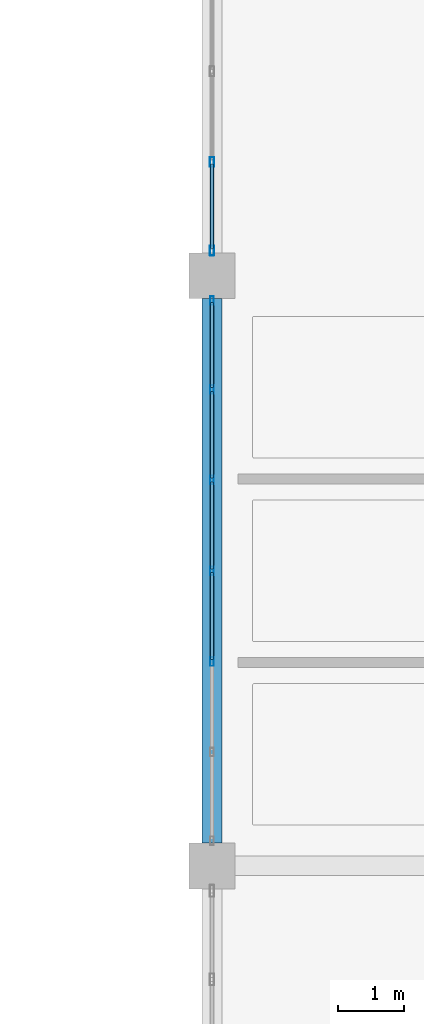
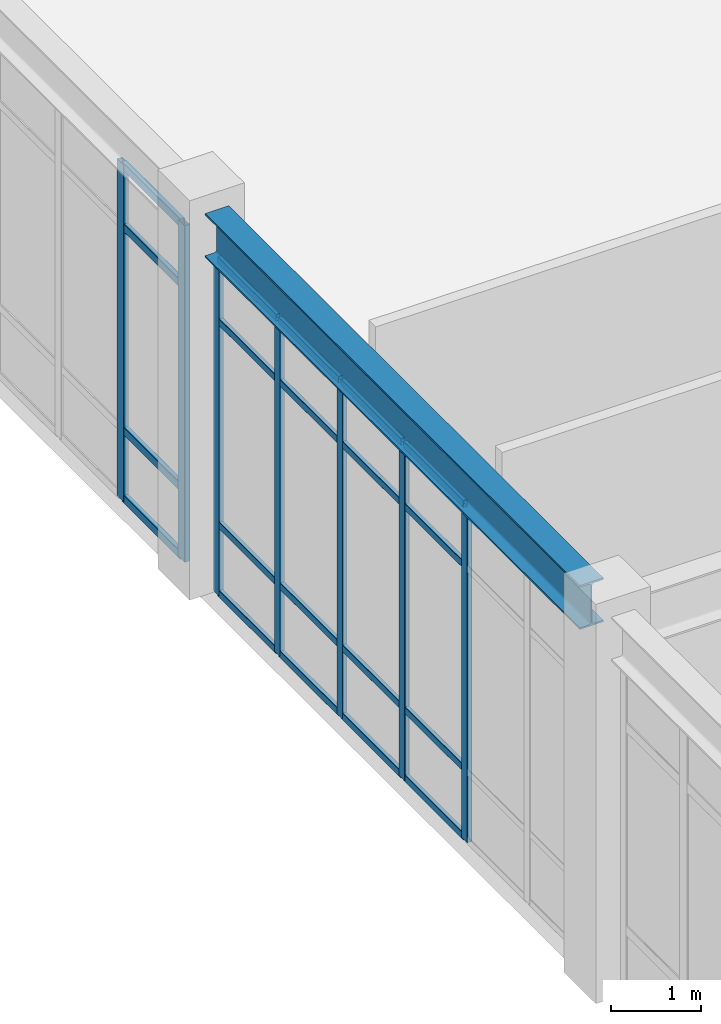
# One storey, part 15 of 80: 27 members, 1 beam, 2 elements without a shape of their own.
"""IFC4 building model written with IfcOpenShell, lengths in metres."""

from ifc_helpers import new_model, si_unit, direction, frame, origin, origin_2d, place, context, subcontext, project, spatial, hollow_rectangle, i_section, extrude, material, material_profile, profile_set, type_object, element, aggregate, save


model = new_model("IFC4")

# Units and contexts
model_context = context("Model", 3, precision=1e-05, world=origin(), true_north=direction((0.0, 1.0)))
body_context = subcontext(model_context, "Body", "Model", "MODEL_VIEW")
ifc_project = project(units=[si_unit("LENGTHUNIT", "METRE"), si_unit("AREAUNIT", "SQUARE_METRE"), si_unit("VOLUMEUNIT", "CUBIC_METRE"), si_unit("PLANEANGLEUNIT", "RADIAN"), si_unit("MASSUNIT", "GRAM", prefix="KILO")], contexts=[model_context])

# Site, building, storey
site_placement = place(None, origin())
site = spatial("IfcSite", under=ifc_project, at=site_placement, CompositionType="ELEMENT")
building_placement = place(site_placement, origin())
building = spatial("IfcBuilding", under=site, at=building_placement, Name="Canglan Escarpment Cableway Terminal", CompositionType="ELEMENT")
storey_placement = place(building_placement, frame((0.0, 0.0, 19.199951171875)))
storey = spatial("IfcBuildingStorey", under=building, at=storey_placement, Name="L04", CompositionType="ELEMENT", Elevation=19.199951171875)

# Beam
ifc_material_1 = material(Name="Steel Q355C", Category="steel")
ifc_material_profile_1 = material_profile(ifc_material_1, i_section(OverallWidth=0.302001953125, OverallDepth=0.593994140625, WebThickness=0.013916015625, FlangeThickness=0.02294921875, FilletRadius=0.028076171875, at=origin_2d()), Name="HM 594x302x14x23")
ifc_profile_set_1 = profile_set([ifc_material_profile_1], Name="Steel Q355C")
beam_type = type_object("IfcBeamType", Name="BM-HM594", PredefinedType="BEAM", material=ifc_profile_set_1)
beam_placement = place(storey_placement, frame((137.60009765625, 52.35009765625, 4.863037109375), z_axis=(0.0, 1.0, 0.0), x_axis=(-1.0, 0.0, 0.0)))
element("IfcBeam", 1, at=beam_placement, inside=storey, type_object=beam_type, Name="Primary transverse girder B-07", PredefinedType="BEAM", context=body_context, shape_type="SweptSolid", body=[
    extrude(i_section(OverallWidth=0.302001953125, OverallDepth=0.593994140625, WebThickness=0.013916015625, FlangeThickness=0.02294921875, FilletRadius=0.028076171875, at=origin_2d()), origin(), (0.0, 0.0, 1.0), 8.2998046875),
])

# Curtain wall, members
ifc_material_2 = material(Name="Anodized bronze aluminium and Low-E double glazing", Category="aluminium")
curtain_wall_type = type_object("IfcCurtainWallType", Name="CW-BAY-8300x4550", PredefinedType="NOTDEFINED", material=ifc_material_2)
curtain_wall_1_placement = place(storey_placement, origin())
curtain_wall_1 = element("IfcCurtainWall", 2, at=curtain_wall_1_placement, inside=storey, type_object=curtain_wall_type, Name="Classical bay-between-piers glazed curtain wall CW-64", PredefinedType="NOTDEFINED")
ifc_material_3 = material(Name="Thermally broken anodized aluminium 6063-T6", Category="aluminium")
ifc_material_profile_2 = material_profile(ifc_material_3, hollow_rectangle(XDim=0.06005859375, YDim=0.1298828125, WallThickness=0.0029296875, InnerFilletRadius=0.0029296875, OuterFilletRadius=0.006103515625, at=origin_2d()), Name="ALU-MULL 60x130x3")
ifc_profile_set_2 = profile_set([ifc_material_profile_2], Name="Thermally broken anodized aluminium 6063-T6")
member_type_1 = type_object("IfcMemberType", Name="CWM-01", PredefinedType="MULLION", material=ifc_profile_set_2)
member_1_placement = place(storey_placement, frame((137.60009765625, 60.6201171875, 0.0), z_axis=(0.0, 0.0, 1.0), x_axis=(1.0, 0.0, 0.0)))
member_1 = element("IfcMember", 3, at=member_1_placement, type_object=member_type_1, Name="CW-64 mullion 1", PredefinedType="MULLION", context=body_context, shape_type="SweptSolid", body=[
    extrude(hollow_rectangle(XDim=0.06005859375, YDim=0.1298828125, WallThickness=0.0029296875, InnerFilletRadius=0.0029296875, OuterFilletRadius=0.006103515625, at=origin_2d()), origin(), (0.0, 0.0, 1.0), 4.551025390625),
])
member_2_placement = place(storey_placement, frame((137.60009765625, 59.2666015625, 0.0), z_axis=(0.0, 0.0, 1.0), x_axis=(1.0, 0.0, 0.0)))
member_2 = element("IfcMember", 4, at=member_2_placement, type_object=member_type_1, Name="CW-64 mullion 2", PredefinedType="MULLION", context=body_context, shape_type="SweptSolid", body=[
    extrude(hollow_rectangle(XDim=0.06005859375, YDim=0.1298828125, WallThickness=0.0029296875, InnerFilletRadius=0.0029296875, OuterFilletRadius=0.006103515625, at=origin_2d()), origin(), (0.0, 0.0, 1.0), 4.551025390625),
])
member_3_placement = place(storey_placement, frame((137.60009765625, 57.88330078125, 0.0), z_axis=(0.0, 0.0, 1.0), x_axis=(1.0, 0.0, 0.0)))
member_3 = element("IfcMember", 5, at=member_3_placement, type_object=member_type_1, Name="CW-64 mullion 3", PredefinedType="MULLION", context=body_context, shape_type="SweptSolid", body=[
    extrude(hollow_rectangle(XDim=0.06005859375, YDim=0.1298828125, WallThickness=0.0029296875, InnerFilletRadius=0.0029296875, OuterFilletRadius=0.006103515625, at=origin_2d()), origin(), (0.0, 0.0, 1.0), 4.551025390625),
])
member_4_placement = place(storey_placement, frame((137.60009765625, 56.5, 0.0), z_axis=(0.0, 0.0, 1.0), x_axis=(1.0, 0.0, 0.0)))
member_4 = element("IfcMember", 6, at=member_4_placement, type_object=member_type_1, Name="CW-64 mullion 4", PredefinedType="MULLION", context=body_context, shape_type="SweptSolid", body=[
    extrude(hollow_rectangle(XDim=0.06005859375, YDim=0.1298828125, WallThickness=0.0029296875, InnerFilletRadius=0.0029296875, OuterFilletRadius=0.006103515625, at=origin_2d()), origin(), (0.0, 0.0, 1.0), 4.551025390625),
])
member_5_placement = place(storey_placement, frame((137.60009765625, 55.11669921875, 0.0), z_axis=(0.0, 0.0, 1.0), x_axis=(1.0, 0.0, 0.0)))
member_5 = element("IfcMember", 7, at=member_5_placement, type_object=member_type_1, Name="CW-64 mullion 5", PredefinedType="MULLION", context=body_context, shape_type="SweptSolid", body=[
    extrude(hollow_rectangle(XDim=0.06005859375, YDim=0.1298828125, WallThickness=0.0029296875, InnerFilletRadius=0.0029296875, OuterFilletRadius=0.006103515625, at=origin_2d()), origin(), (0.0, 0.0, 1.0), 4.551025390625),
])

curtain_wall_2_placement = place(storey_placement, origin())
curtain_wall_2 = element("IfcCurtainWall", 8, at=curtain_wall_2_placement, inside=storey, type_object=curtain_wall_type, Name="Classical bay-between-piers glazed curtain wall CW-64", PredefinedType="NOTDEFINED")
ifc_material_profile_3 = material_profile(ifc_material_3, hollow_rectangle(XDim=0.06494140625, YDim=0.14990234375, WallThickness=0.00341796875, InnerFilletRadius=0.00341796875, OuterFilletRadius=0.007080078125, at=origin_2d()), Name="ALU-MULL 65x150x3.5")
ifc_profile_set_3 = profile_set([ifc_material_profile_3], Name="Thermally broken anodized aluminium 6063-T6")
member_type_2 = type_object("IfcMemberType", Name="CWM-02", PredefinedType="MULLION", material=ifc_profile_set_3)
member_6_placement = place(storey_placement, frame((137.60009765625, 62.7333984375, 0.0), z_axis=(0.0, 0.0, 1.0), x_axis=(1.0, 0.0, 0.0)))
member_6 = element("IfcMember", 9, at=member_6_placement, type_object=member_type_2, Name="CW-64 mullion 6", PredefinedType="MULLION", context=body_context, shape_type="SweptSolid", body=[
    extrude(hollow_rectangle(XDim=0.06494140625, YDim=0.14990234375, WallThickness=0.00341796875, InnerFilletRadius=0.00341796875, OuterFilletRadius=0.007080078125, at=origin_2d()), origin(), (0.0, 0.0, 1.0), 4.551025390625),
])
member_7_placement = place(storey_placement, frame((137.60009765625, 61.382568359375, 0.0), z_axis=(0.0, 0.0, 1.0), x_axis=(1.0, 0.0, 0.0)))
member_7 = element("IfcMember", 10, at=member_7_placement, type_object=member_type_2, Name="CW-64 mullion 7", PredefinedType="MULLION", context=body_context, shape_type="SweptSolid", body=[
    extrude(hollow_rectangle(XDim=0.06494140625, YDim=0.14990234375, WallThickness=0.00341796875, InnerFilletRadius=0.00341796875, OuterFilletRadius=0.007080078125, at=origin_2d()), origin(), (0.0, 0.0, 1.0), 4.551025390625),
])

# Member
ifc_material_profile_4 = material_profile(ifc_material_3, hollow_rectangle(XDim=0.054931640625, YDim=0.094970703125, WallThickness=0.0029296875, InnerFilletRadius=0.0029296875, OuterFilletRadius=0.006103515625, at=origin_2d()), Name="ALU-TRAN 55x95x3")
ifc_profile_set_4 = profile_set([ifc_material_profile_4], Name="Thermally broken anodized aluminium 6063-T6")
member_type_3 = type_object("IfcMemberType", Name="CWT-01", PredefinedType="USERDEFINED", material=ifc_profile_set_4)
member_8_placement = place(storey_placement, frame((137.60009765625, 60.590087890625, 0.027587890625), z_axis=(0.0, -1.0, 0.0), x_axis=(1.0, 0.0, 0.0)))
member_8 = element("IfcMember", 11, at=member_8_placement, type_object=member_type_3, Name="CW-64 transom 1.1", ObjectType="TRANSOM", PredefinedType="USERDEFINED", context=body_context, shape_type="SweptSolid", body=[
    extrude(hollow_rectangle(XDim=0.054931640625, YDim=0.094970703125, WallThickness=0.0029296875, InnerFilletRadius=0.0029296875, OuterFilletRadius=0.006103515625, at=origin_2d()), origin(), (0.0, 0.0, 1.0), 1.29345703125),
])

member_9_placement = place(storey_placement, frame((137.60009765625, 60.590087890625, 0.949951171875), z_axis=(0.0, -1.0, 0.0), x_axis=(1.0, 0.0, 0.0)))
member_9 = element("IfcMember", 12, at=member_9_placement, type_object=member_type_3, Name="CW-64 transom 1.2", ObjectType="TRANSOM", PredefinedType="USERDEFINED", context=body_context, shape_type="SweptSolid", body=[
    extrude(hollow_rectangle(XDim=0.054931640625, YDim=0.094970703125, WallThickness=0.0029296875, InnerFilletRadius=0.0029296875, OuterFilletRadius=0.006103515625, at=origin_2d()), origin(), (0.0, 0.0, 1.0), 1.29345703125),
])

member_10_placement = place(storey_placement, frame((137.60009765625, 60.590087890625, 3.700927734375), z_axis=(0.0, -1.0, 0.0), x_axis=(1.0, 0.0, 0.0)))
member_10 = element("IfcMember", 13, at=member_10_placement, type_object=member_type_3, Name="CW-64 transom 1.3", ObjectType="TRANSOM", PredefinedType="USERDEFINED", context=body_context, shape_type="SweptSolid", body=[
    extrude(hollow_rectangle(XDim=0.054931640625, YDim=0.094970703125, WallThickness=0.0029296875, InnerFilletRadius=0.0029296875, OuterFilletRadius=0.006103515625, at=origin_2d()), origin(), (0.0, 0.0, 1.0), 1.29345703125),
])

member_11_placement = place(storey_placement, frame((137.60009765625, 60.590087890625, 4.5234375), z_axis=(0.0, -1.0, 0.0), x_axis=(1.0, 0.0, 0.0)))
member_11 = element("IfcMember", 14, at=member_11_placement, type_object=member_type_3, Name="CW-64 transom 1.4", ObjectType="TRANSOM", PredefinedType="USERDEFINED", context=body_context, shape_type="SweptSolid", body=[
    extrude(hollow_rectangle(XDim=0.054931640625, YDim=0.094970703125, WallThickness=0.0029296875, InnerFilletRadius=0.0029296875, OuterFilletRadius=0.006103515625, at=origin_2d()), origin(), (0.0, 0.0, 1.0), 1.29345703125),
])

member_12_placement = place(storey_placement, frame((137.60009765625, 59.236572265625, 0.027587890625), z_axis=(0.0, -1.0, 0.0), x_axis=(1.0, 0.0, 0.0)))
member_12 = element("IfcMember", 15, at=member_12_placement, type_object=member_type_3, Name="CW-64 transom 2.1", ObjectType="TRANSOM", PredefinedType="USERDEFINED", context=body_context, shape_type="SweptSolid", body=[
    extrude(hollow_rectangle(XDim=0.054931640625, YDim=0.094970703125, WallThickness=0.0029296875, InnerFilletRadius=0.0029296875, OuterFilletRadius=0.006103515625, at=origin_2d()), origin(), (0.0, 0.0, 1.0), 1.3232421875),
])

member_13_placement = place(storey_placement, frame((137.60009765625, 59.236572265625, 0.949951171875), z_axis=(0.0, -1.0, 0.0), x_axis=(1.0, 0.0, 0.0)))
member_13 = element("IfcMember", 16, at=member_13_placement, type_object=member_type_3, Name="CW-64 transom 2.2", ObjectType="TRANSOM", PredefinedType="USERDEFINED", context=body_context, shape_type="SweptSolid", body=[
    extrude(hollow_rectangle(XDim=0.054931640625, YDim=0.094970703125, WallThickness=0.0029296875, InnerFilletRadius=0.0029296875, OuterFilletRadius=0.006103515625, at=origin_2d()), origin(), (0.0, 0.0, 1.0), 1.3232421875),
])

member_14_placement = place(storey_placement, frame((137.60009765625, 59.236572265625, 3.700927734375), z_axis=(0.0, -1.0, 0.0), x_axis=(1.0, 0.0, 0.0)))
member_14 = element("IfcMember", 17, at=member_14_placement, type_object=member_type_3, Name="CW-64 transom 2.3", ObjectType="TRANSOM", PredefinedType="USERDEFINED", context=body_context, shape_type="SweptSolid", body=[
    extrude(hollow_rectangle(XDim=0.054931640625, YDim=0.094970703125, WallThickness=0.0029296875, InnerFilletRadius=0.0029296875, OuterFilletRadius=0.006103515625, at=origin_2d()), origin(), (0.0, 0.0, 1.0), 1.3232421875),
])

member_15_placement = place(storey_placement, frame((137.60009765625, 59.236572265625, 4.5234375), z_axis=(0.0, -1.0, 0.0), x_axis=(1.0, 0.0, 0.0)))
member_15 = element("IfcMember", 18, at=member_15_placement, type_object=member_type_3, Name="CW-64 transom 2.4", ObjectType="TRANSOM", PredefinedType="USERDEFINED", context=body_context, shape_type="SweptSolid", body=[
    extrude(hollow_rectangle(XDim=0.054931640625, YDim=0.094970703125, WallThickness=0.0029296875, InnerFilletRadius=0.0029296875, OuterFilletRadius=0.006103515625, at=origin_2d()), origin(), (0.0, 0.0, 1.0), 1.3232421875),
])

member_16_placement = place(storey_placement, frame((137.60009765625, 57.853271484375, 0.027587890625), z_axis=(0.0, -1.0, 0.0), x_axis=(1.0, 0.0, 0.0)))
member_16 = element("IfcMember", 19, at=member_16_placement, type_object=member_type_3, Name="CW-64 transom 3.1", ObjectType="TRANSOM", PredefinedType="USERDEFINED", context=body_context, shape_type="SweptSolid", body=[
    extrude(hollow_rectangle(XDim=0.054931640625, YDim=0.094970703125, WallThickness=0.0029296875, InnerFilletRadius=0.0029296875, OuterFilletRadius=0.006103515625, at=origin_2d()), origin(), (0.0, 0.0, 1.0), 1.3232421875),
])

member_17_placement = place(storey_placement, frame((137.60009765625, 57.853271484375, 0.949951171875), z_axis=(0.0, -1.0, 0.0), x_axis=(1.0, 0.0, 0.0)))
member_17 = element("IfcMember", 20, at=member_17_placement, type_object=member_type_3, Name="CW-64 transom 3.2", ObjectType="TRANSOM", PredefinedType="USERDEFINED", context=body_context, shape_type="SweptSolid", body=[
    extrude(hollow_rectangle(XDim=0.054931640625, YDim=0.094970703125, WallThickness=0.0029296875, InnerFilletRadius=0.0029296875, OuterFilletRadius=0.006103515625, at=origin_2d()), origin(), (0.0, 0.0, 1.0), 1.3232421875),
])

member_18_placement = place(storey_placement, frame((137.60009765625, 57.853271484375, 3.700927734375), z_axis=(0.0, -1.0, 0.0), x_axis=(1.0, 0.0, 0.0)))
member_18 = element("IfcMember", 21, at=member_18_placement, type_object=member_type_3, Name="CW-64 transom 3.3", ObjectType="TRANSOM", PredefinedType="USERDEFINED", context=body_context, shape_type="SweptSolid", body=[
    extrude(hollow_rectangle(XDim=0.054931640625, YDim=0.094970703125, WallThickness=0.0029296875, InnerFilletRadius=0.0029296875, OuterFilletRadius=0.006103515625, at=origin_2d()), origin(), (0.0, 0.0, 1.0), 1.3232421875),
])

member_19_placement = place(storey_placement, frame((137.60009765625, 57.853271484375, 4.5234375), z_axis=(0.0, -1.0, 0.0), x_axis=(1.0, 0.0, 0.0)))
member_19 = element("IfcMember", 22, at=member_19_placement, type_object=member_type_3, Name="CW-64 transom 3.4", ObjectType="TRANSOM", PredefinedType="USERDEFINED", context=body_context, shape_type="SweptSolid", body=[
    extrude(hollow_rectangle(XDim=0.054931640625, YDim=0.094970703125, WallThickness=0.0029296875, InnerFilletRadius=0.0029296875, OuterFilletRadius=0.006103515625, at=origin_2d()), origin(), (0.0, 0.0, 1.0), 1.3232421875),
])

member_20_placement = place(storey_placement, frame((137.60009765625, 56.469970703125, 0.027587890625), z_axis=(0.0, -1.0, 0.0), x_axis=(1.0, 0.0, 0.0)))
member_20 = element("IfcMember", 23, at=member_20_placement, type_object=member_type_3, Name="CW-64 transom 4.1", ObjectType="TRANSOM", PredefinedType="USERDEFINED", context=body_context, shape_type="SweptSolid", body=[
    extrude(hollow_rectangle(XDim=0.054931640625, YDim=0.094970703125, WallThickness=0.0029296875, InnerFilletRadius=0.0029296875, OuterFilletRadius=0.006103515625, at=origin_2d()), origin(), (0.0, 0.0, 1.0), 1.3232421875),
])

member_21_placement = place(storey_placement, frame((137.60009765625, 56.469970703125, 0.949951171875), z_axis=(0.0, -1.0, 0.0), x_axis=(1.0, 0.0, 0.0)))
member_21 = element("IfcMember", 24, at=member_21_placement, type_object=member_type_3, Name="CW-64 transom 4.2", ObjectType="TRANSOM", PredefinedType="USERDEFINED", context=body_context, shape_type="SweptSolid", body=[
    extrude(hollow_rectangle(XDim=0.054931640625, YDim=0.094970703125, WallThickness=0.0029296875, InnerFilletRadius=0.0029296875, OuterFilletRadius=0.006103515625, at=origin_2d()), origin(), (0.0, 0.0, 1.0), 1.3232421875),
])

member_22_placement = place(storey_placement, frame((137.60009765625, 56.469970703125, 3.700927734375), z_axis=(0.0, -1.0, 0.0), x_axis=(1.0, 0.0, 0.0)))
member_22 = element("IfcMember", 25, at=member_22_placement, type_object=member_type_3, Name="CW-64 transom 4.3", ObjectType="TRANSOM", PredefinedType="USERDEFINED", context=body_context, shape_type="SweptSolid", body=[
    extrude(hollow_rectangle(XDim=0.054931640625, YDim=0.094970703125, WallThickness=0.0029296875, InnerFilletRadius=0.0029296875, OuterFilletRadius=0.006103515625, at=origin_2d()), origin(), (0.0, 0.0, 1.0), 1.3232421875),
])

member_23_placement = place(storey_placement, frame((137.60009765625, 56.469970703125, 4.5234375), z_axis=(0.0, -1.0, 0.0), x_axis=(1.0, 0.0, 0.0)))
member_23 = element("IfcMember", 26, at=member_23_placement, type_object=member_type_3, Name="CW-64 transom 4.4", ObjectType="TRANSOM", PredefinedType="USERDEFINED", context=body_context, shape_type="SweptSolid", body=[
    extrude(hollow_rectangle(XDim=0.054931640625, YDim=0.094970703125, WallThickness=0.0029296875, InnerFilletRadius=0.0029296875, OuterFilletRadius=0.006103515625, at=origin_2d()), origin(), (0.0, 0.0, 1.0), 1.3232421875),
])

aggregate(curtain_wall_1, [member_1, member_2, member_3, member_4, member_5, member_8, member_9, member_10, member_11, member_12, member_13, member_14, member_15, member_16, member_17, member_18, member_19, member_20, member_21, member_22, member_23])

ifc_material_profile_5 = material_profile(ifc_material_3, hollow_rectangle(XDim=0.06005859375, YDim=0.110107421875, WallThickness=0.0029296875, InnerFilletRadius=0.0029296875, OuterFilletRadius=0.006103515625, at=origin_2d()), Name="ALU-TRAN 60x110x3")
ifc_profile_set_5 = profile_set([ifc_material_profile_5], Name="Thermally broken anodized aluminium 6063-T6")
member_type_4 = type_object("IfcMemberType", Name="CWT-02", PredefinedType="USERDEFINED", material=ifc_profile_set_5)
member_24_placement = place(storey_placement, frame((137.60009765625, 62.700927734375, 0.030029296875), z_axis=(0.0, -1.0, 0.0), x_axis=(1.0, 0.0, 0.0)))
member_24 = element("IfcMember", 27, at=member_24_placement, type_object=member_type_4, Name="CW-64 transom 6.1", ObjectType="TRANSOM", PredefinedType="USERDEFINED", context=body_context, shape_type="SweptSolid", body=[
    extrude(hollow_rectangle(XDim=0.06005859375, YDim=0.110107421875, WallThickness=0.0029296875, InnerFilletRadius=0.0029296875, OuterFilletRadius=0.006103515625, at=origin_2d()), origin(), (0.0, 0.0, 1.0), 1.285888671875),
])

member_25_placement = place(storey_placement, frame((137.60009765625, 62.700927734375, 0.949951171875), z_axis=(0.0, -1.0, 0.0), x_axis=(1.0, 0.0, 0.0)))
member_25 = element("IfcMember", 28, at=member_25_placement, type_object=member_type_4, Name="CW-64 transom 6.2", ObjectType="TRANSOM", PredefinedType="USERDEFINED", context=body_context, shape_type="SweptSolid", body=[
    extrude(hollow_rectangle(XDim=0.06005859375, YDim=0.110107421875, WallThickness=0.0029296875, InnerFilletRadius=0.0029296875, OuterFilletRadius=0.006103515625, at=origin_2d()), origin(), (0.0, 0.0, 1.0), 1.285888671875),
])

member_26_placement = place(storey_placement, frame((137.60009765625, 62.700927734375, 3.700927734375), z_axis=(0.0, -1.0, 0.0), x_axis=(1.0, 0.0, 0.0)))
member_26 = element("IfcMember", 29, at=member_26_placement, type_object=member_type_4, Name="CW-64 transom 6.3", ObjectType="TRANSOM", PredefinedType="USERDEFINED", context=body_context, shape_type="SweptSolid", body=[
    extrude(hollow_rectangle(XDim=0.06005859375, YDim=0.110107421875, WallThickness=0.0029296875, InnerFilletRadius=0.0029296875, OuterFilletRadius=0.006103515625, at=origin_2d()), origin(), (0.0, 0.0, 1.0), 1.285888671875),
])

member_27_placement = place(storey_placement, frame((137.60009765625, 62.700927734375, 4.52099609375), z_axis=(0.0, -1.0, 0.0), x_axis=(1.0, 0.0, 0.0)))
member_27 = element("IfcMember", 30, at=member_27_placement, type_object=member_type_4, Name="CW-64 transom 6.4", ObjectType="TRANSOM", PredefinedType="USERDEFINED", context=body_context, shape_type="SweptSolid", body=[
    extrude(hollow_rectangle(XDim=0.06005859375, YDim=0.110107421875, WallThickness=0.0029296875, InnerFilletRadius=0.0029296875, OuterFilletRadius=0.006103515625, at=origin_2d()), origin(), (0.0, 0.0, 1.0), 1.285888671875),
])

aggregate(curtain_wall_2, [member_6, member_7, member_24, member_25, member_26, member_27])

save(model, "model.ifc")
